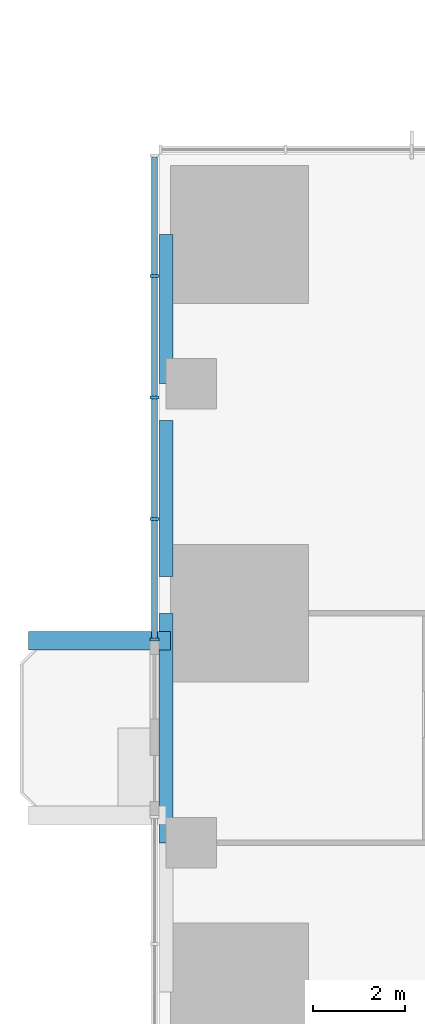
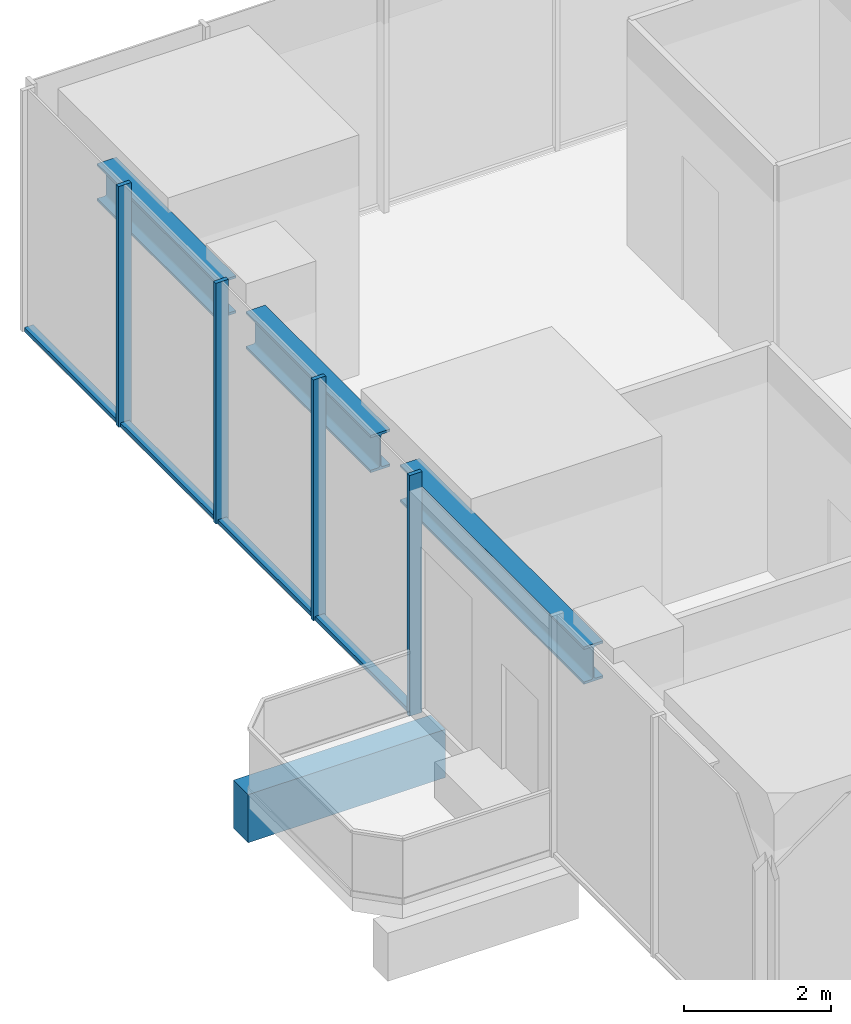
# One storey, part 3 of 13: 8 members, 4 beams, 1 element without a shape of its own.
"""IFC4 building model written with IfcOpenShell, lengths in metres."""

from ifc_helpers import new_model, si_unit, direction, frame, origin, origin_2d, place, context, subcontext, project, spatial, rectangle, i_section, extrude, material, material_profile, profile_set, type_object, element, aggregate, save


model = new_model("IFC4")

# Units and contexts
model_context = context("Model", 3, precision=1e-05, world=origin(), true_north=direction((0.0, 1.0)))
body_context = subcontext(model_context, "Body", "Model", "MODEL_VIEW")
ifc_project = project(units=[si_unit("LENGTHUNIT", "METRE"), si_unit("AREAUNIT", "SQUARE_METRE"), si_unit("VOLUMEUNIT", "CUBIC_METRE"), si_unit("PLANEANGLEUNIT", "RADIAN"), si_unit("MASSUNIT", "GRAM", prefix="KILO")], contexts=[model_context])

# Site, building, storey
site_placement = place(None, origin())
site = spatial("IfcSite", under=ifc_project, at=site_placement, CompositionType="ELEMENT")
building_placement = place(site_placement, origin())
building = spatial("IfcBuilding", under=site, at=building_placement, Name="Svetlomir Tower", CompositionType="ELEMENT")
storey_placement = place(building_placement, frame((0.0, 0.0, 136.5)))
storey = spatial("IfcBuildingStorey", under=building, at=storey_placement, Name="L32", CompositionType="ELEMENT", Elevation=136.5)

# Beam
ifc_material_1 = material(Name="Concrete C60/75", Category="concrete")
ifc_material_profile_1 = material_profile(ifc_material_1, rectangle(XDim=0.39990234375, YDim=0.800048828125, at=origin_2d()), Name="RC 400x800")
ifc_profile_set_1 = profile_set([ifc_material_profile_1], Name="Concrete C60/75")
beam_type_1 = type_object("IfcBeamType", Name="BALCONY RIB RC 400x800", PredefinedType="BEAM", material=ifc_profile_set_1)
beam_1_placement = place(storey_placement, frame((0.25, 20.39990234375, -0.64990234375), z_axis=(-1.0, 0.0, 0.0), x_axis=(0.0, -1.0, 0.0)))
element("IfcBeam", 1, at=beam_1_placement, inside=storey, type_object=beam_type_1, Name="Balcony rib W 2 L32", PredefinedType="BEAM", context=body_context, shape_type="SweptSolid", body=[
    extrude(rectangle(XDim=0.39990234375, YDim=0.800048828125, at=origin_2d()), origin(), (0.0, 0.0, 1.0), 3.10009765625),
])

# Curtain wall, members
ifc_material_2 = material(Name="Bronze anodised aluminium curtain wall", Category="aluminium")
curtain_wall_type = type_object("IfcCurtainWallType", Name="CURTAIN WALL CW1 TOWER OFFICE", PredefinedType="NOTDEFINED", material=ifc_material_2)
curtain_wall_placement = place(storey_placement, origin())
curtain_wall = element("IfcCurtainWall", 2, at=curtain_wall_placement, inside=storey, type_object=curtain_wall_type, Name="Curtain wall CW1 L32", PredefinedType="NOTDEFINED")
ifc_material_3 = material(Name="Bronze anodised aluminium", Category="aluminium")
ifc_material_profile_2 = material_profile(ifc_material_3, rectangle(XDim=0.06494140625, YDim=0.199951171875, at=origin_2d()), Name="AL 65x200")
ifc_profile_set_2 = profile_set([ifc_material_profile_2], Name="Bronze anodised aluminium 6063-T6")
member_type_1 = type_object("IfcMemberType", Name="CW1 MULLION 65x200", PredefinedType="MULLION", material=ifc_profile_set_2)
member_1_placement = place(storey_placement, frame((-0.10009765625, 28.35009765625, 0.0), z_axis=(0.0, 0.0, 1.0), x_axis=(0.0, -1.0, 0.0)))
member_1 = element("IfcMember", 3, at=member_1_placement, type_object=member_type_1, Name="CW1 mullion 2", PredefinedType="MULLION", context=body_context, shape_type="SweptSolid", body=[
    extrude(rectangle(XDim=0.06494140625, YDim=0.199951171875, at=origin_2d()), origin(), (0.0, 0.0, 1.0), 4.0),
])
member_2_placement = place(storey_placement, frame((-0.10009765625, 25.699951171875, 0.0), z_axis=(0.0, 0.0, 1.0), x_axis=(0.0, -1.0, 0.0)))
member_2 = element("IfcMember", 4, at=member_2_placement, type_object=member_type_1, Name="CW1 mullion 3", PredefinedType="MULLION", context=body_context, shape_type="SweptSolid", body=[
    extrude(rectangle(XDim=0.06494140625, YDim=0.199951171875, at=origin_2d()), origin(), (0.0, 0.0, 1.0), 4.0),
])
member_3_placement = place(storey_placement, frame((-0.10009765625, 23.050048828125, 0.0), z_axis=(0.0, 0.0, 1.0), x_axis=(0.0, -1.0, 0.0)))
member_3 = element("IfcMember", 5, at=member_3_placement, type_object=member_type_1, Name="CW1 mullion 4", PredefinedType="MULLION", context=body_context, shape_type="SweptSolid", body=[
    extrude(rectangle(XDim=0.06494140625, YDim=0.199951171875, at=origin_2d()), origin(), (0.0, 0.0, 1.0), 4.0),
])
member_4_placement = place(storey_placement, frame((-0.10009765625, 20.4326171875, 0.0), z_axis=(0.0, 0.0, 1.0), x_axis=(0.0, -1.0, 0.0)))
member_4 = element("IfcMember", 6, at=member_4_placement, type_object=member_type_1, Name="CW1 mullion 5", PredefinedType="MULLION", context=body_context, shape_type="SweptSolid", body=[
    extrude(rectangle(XDim=0.06494140625, YDim=0.199951171875, at=origin_2d()), origin(), (0.0, 0.0, 1.0), 4.0),
])
ifc_material_4 = material(Name="Bronze anodised aluminium", Category="aluminium")
ifc_material_profile_3 = material_profile(ifc_material_4, rectangle(XDim=0.139892578125, YDim=0.06494140625, at=origin_2d()), Name="AL 140x65")
ifc_profile_set_3 = profile_set([ifc_material_profile_3], Name="Bronze anodised aluminium 6063-T6")
member_type_2 = type_object("IfcMemberType", Name="CW1 TRANSOM 65x140", PredefinedType="USERDEFINED", material=ifc_profile_set_3)
member_5_placement = place(storey_placement, frame((-0.10009765625, 30.93505859375, 0.032470703125), z_axis=(0.0, -1.0, 0.0), x_axis=(1.0, 0.0, 0.0)))
member_5 = element("IfcMember", 7, at=member_5_placement, type_object=member_type_2, Name="CW1 transom 1.1", ObjectType="TRANSOM", PredefinedType="USERDEFINED", context=body_context, shape_type="SweptSolid", body=[
    extrude(rectangle(XDim=0.139892578125, YDim=0.06494140625, at=origin_2d()), origin(), (0.0, 0.0, 1.0), 2.552490234375),
])
member_6_placement = place(storey_placement, frame((-0.10009765625, 28.3173828125, 0.032470703125), z_axis=(0.0, -1.0, 0.0), x_axis=(1.0, 0.0, 0.0)))
member_6 = element("IfcMember", 8, at=member_6_placement, type_object=member_type_2, Name="CW1 transom 2.1", ObjectType="TRANSOM", PredefinedType="USERDEFINED", context=body_context, shape_type="SweptSolid", body=[
    extrude(rectangle(XDim=0.139892578125, YDim=0.06494140625, at=origin_2d()), origin(), (0.0, 0.0, 1.0), 2.5849609375),
])
member_7_placement = place(storey_placement, frame((-0.10009765625, 25.66748046875, 0.032470703125), z_axis=(0.0, -1.0, 0.0), x_axis=(1.0, 0.0, 0.0)))
member_7 = element("IfcMember", 9, at=member_7_placement, type_object=member_type_2, Name="CW1 transom 3.1", ObjectType="TRANSOM", PredefinedType="USERDEFINED", context=body_context, shape_type="SweptSolid", body=[
    extrude(rectangle(XDim=0.139892578125, YDim=0.06494140625, at=origin_2d()), origin(), (0.0, 0.0, 1.0), 2.5849609375),
])
member_8_placement = place(storey_placement, frame((-0.10009765625, 23.017578125, 0.032470703125), z_axis=(0.0, -1.0, 0.0), x_axis=(1.0, 0.0, 0.0)))
member_8 = element("IfcMember", 10, at=member_8_placement, type_object=member_type_2, Name="CW1 transom 4.1", ObjectType="TRANSOM", PredefinedType="USERDEFINED", context=body_context, shape_type="SweptSolid", body=[
    extrude(rectangle(XDim=0.139892578125, YDim=0.06494140625, at=origin_2d()), origin(), (0.0, 0.0, 1.0), 2.552490234375),
])
aggregate(curtain_wall, [member_1, member_2, member_3, member_4, member_5, member_6, member_7, member_8])

# Beams
ifc_material_5 = material(Name="Steel S355", Category="steel")
ifc_material_profile_4 = material_profile(ifc_material_5, i_section(OverallWidth=0.304931640625, OverallDepth=0.6201171875, WebThickness=0.02099609375, FlangeThickness=0.0400390625, FilletRadius=0.027099609375, at=origin_2d()), Name="HEM 600")
ifc_profile_set_4 = profile_set([ifc_material_profile_4], Name="Steel S355")
beam_type_2 = type_object("IfcBeamType", Name="EDGE BEAM HEM 600", PredefinedType="SPANDREL", material=ifc_profile_set_4)
beam_2_placement = place(storey_placement, frame((0.152587890625, 16.0, 3.43994140625), z_axis=(0.0, 1.0, 0.0), x_axis=(-1.0, 0.0, 0.0)))
element("IfcBeam", 11, at=beam_2_placement, inside=storey, type_object=beam_type_2, Name="Edge beam 0/16 to 0/21 under L33", PredefinedType="SPANDREL", context=body_context, shape_type="SweptSolid", body=[
    extrude(i_section(OverallWidth=0.304931640625, OverallDepth=0.6201171875, WebThickness=0.02099609375, FlangeThickness=0.0400390625, FilletRadius=0.027099609375, at=origin_2d()), origin(), (0.0, 0.0, 1.0), 5.0),
])
beam_3_placement = place(storey_placement, frame((0.152587890625, 21.800048828125, 3.43994140625), z_axis=(0.0, 1.0, 0.0), x_axis=(-1.0, 0.0, 0.0)))
element("IfcBeam", 12, at=beam_3_placement, inside=storey, type_object=beam_type_2, Name="Edge beam 0/21 to 0/26 under L33", PredefinedType="SPANDREL", context=body_context, shape_type="SweptSolid", body=[
    extrude(i_section(OverallWidth=0.304931640625, OverallDepth=0.6201171875, WebThickness=0.02099609375, FlangeThickness=0.0400390625, FilletRadius=0.027099609375, at=origin_2d()), origin(), (0.0, 0.0, 1.0), 3.39990234375),
])
beam_4_placement = place(storey_placement, frame((0.152587890625, 26.0, 3.43994140625), z_axis=(0.0, 1.0, 0.0), x_axis=(-1.0, 0.0, 0.0)))
element("IfcBeam", 13, at=beam_4_placement, inside=storey, type_object=beam_type_2, Name="Edge beam 0/26 to 0/31 under L33", PredefinedType="SPANDREL", context=body_context, shape_type="SweptSolid", body=[
    extrude(i_section(OverallWidth=0.304931640625, OverallDepth=0.6201171875, WebThickness=0.02099609375, FlangeThickness=0.0400390625, FilletRadius=0.027099609375, at=origin_2d()), origin(), (0.0, 0.0, 1.0), 3.25),
])

save(model, "model.ifc")
